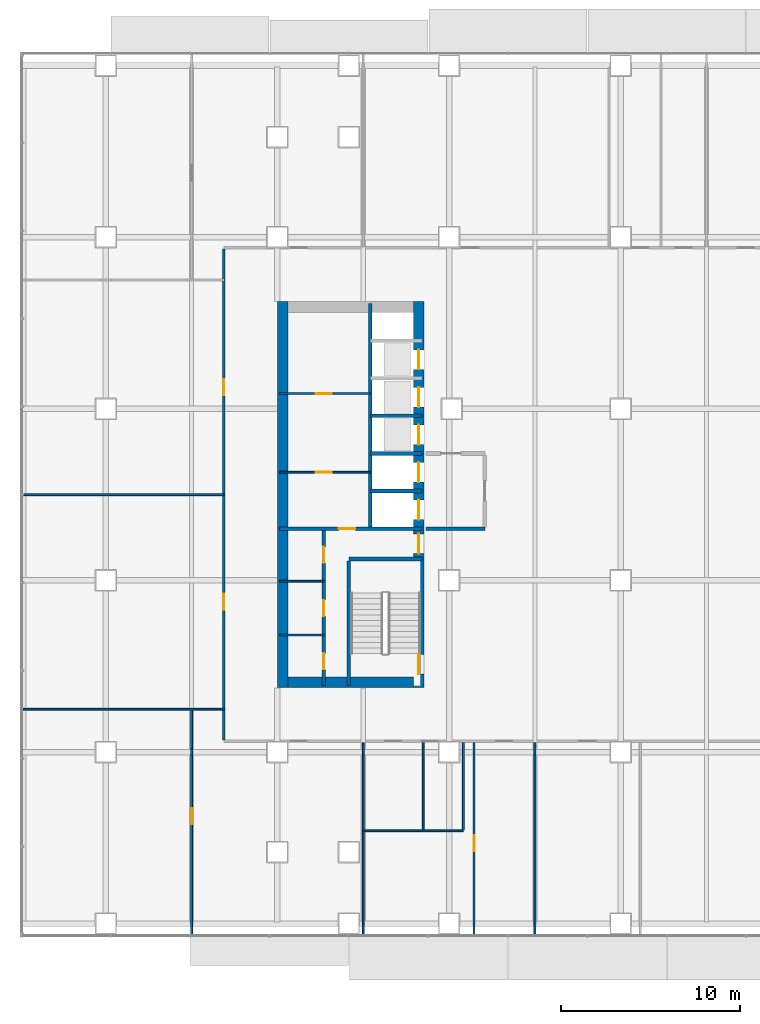
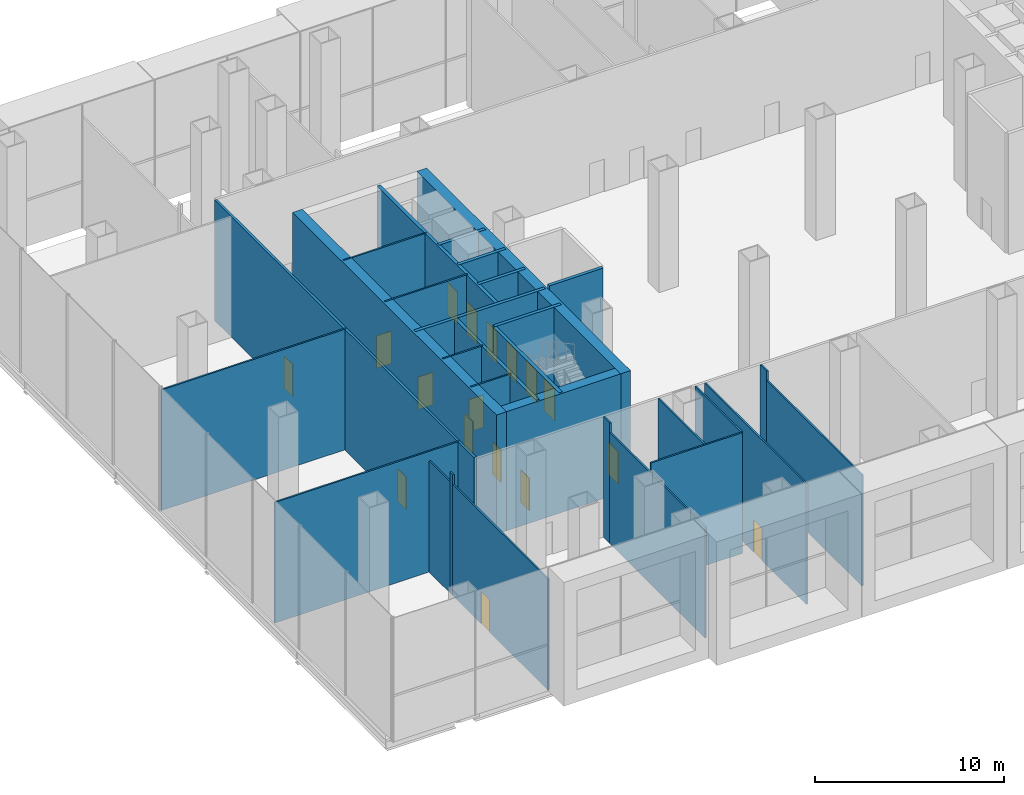
# One storey, part 15 of 24: 30 walls, 17 doors, 17 openings.
"""IFC4 building model written with IfcOpenShell, lengths in metres."""

from ifc_helpers import new_model, si_unit, direction, frame, frame_2d, origin, place, context, subcontext, project, spatial, rectangle, extrude, material, layer, layer_set, type_object, element, fill, save


model = new_model("IFC4")

# Units and contexts
model_context = context("Model", 3, precision=1e-05, world=origin(), true_north=direction((0.0, 1.0)))
body_context = subcontext(model_context, "Body", "Model", "MODEL_VIEW")
ifc_project = project(units=[si_unit("LENGTHUNIT", "METRE"), si_unit("AREAUNIT", "SQUARE_METRE"), si_unit("VOLUMEUNIT", "CUBIC_METRE"), si_unit("PLANEANGLEUNIT", "RADIAN"), si_unit("MASSUNIT", "GRAM", prefix="KILO")], contexts=[model_context])

# Site, building, storey
site_placement = place(None, origin())
site = spatial("IfcSite", under=ifc_project, at=site_placement, CompositionType="ELEMENT")
building_placement = place(site_placement, origin())
building = spatial("IfcBuilding", under=site, at=building_placement, Name="Cobrizo Arcos Hotel Tower", CompositionType="ELEMENT")
storey_placement = place(building_placement, frame((0.0, 0.0, 7.5)))
storey = spatial("IfcBuildingStorey", under=building, at=storey_placement, Name="L01", CompositionType="ELEMENT", Elevation=7.5)

# Wall, openings, doors
ifc_material_1 = material(Name="Gypsum board partition")
ifc_layer_1 = layer(ifc_material_1, 0.14990234375)
ifc_layer_set_1 = layer_set([ifc_layer_1], Name="Corridor wall EI 60 150")
wall_type_1 = type_object("IfcWallType", Name="Corridor wall EI 60 150", PredefinedType="PARTITIONING", material=ifc_layer_set_1)
wall_1_placement = place(storey_placement, frame((-27.0, -13.72509765625, 0.0), z_axis=(0.0, 0.0, 1.0), x_axis=(0.0, 1.0, 0.0)))
wall_1 = element("IfcWall", 1, at=wall_1_placement, inside=storey, type_object=wall_type_1, Name="Partition 042", PredefinedType="PARTITIONING", context=body_context, shape_type="SweptSolid", body=[
    extrude(rectangle(XDim=27.4501953125, YDim=0.14990234375, at=frame_2d((13.72509765625, 0.0))), origin(), (0.0, 0.0, 1.0), 7.800048828125),
])
opening_1_placement = place(wall_1_placement, frame((7.27490234375, 0.0, 0.0)))
opening_1 = element("IfcOpeningElement", 2, at=opening_1_placement, cuts=wall_1, Name="Opening RD-19", PredefinedType="OPENING", context=body_context, shape_type="SweptSolid", body=[
    extrude(rectangle(XDim=0.89990234375, YDim=2.10009765625, at=frame_2d((0.449951171875, 1.050048828125))), frame((0.0, 0.0869140625, 0.0), z_axis=(0.0, -1.0, 0.0), x_axis=(1.0, 0.0, 0.0)), (0.0, 0.0, 1.0), 0.173828125),
])
opening_2_placement = place(wall_1_placement, frame((19.27490234375, 0.0, 0.0)))
opening_2 = element("IfcOpeningElement", 3, at=opening_2_placement, cuts=wall_1, Name="Opening RD-20", PredefinedType="OPENING", context=body_context, shape_type="SweptSolid", body=[
    extrude(rectangle(XDim=0.89990234375, YDim=2.10009765625, at=frame_2d((0.449951171875, 1.050048828125))), frame((0.0, 0.0869140625, 0.0), z_axis=(0.0, -1.0, 0.0), x_axis=(1.0, 0.0, 0.0)), (0.0, 0.0, 1.0), 0.173828125),
])
ifc_material_2 = material(Name="Timber door leaf", Category="wood")
door_type_1 = type_object("IfcDoorType", Name="Room door FD30 900x2100", OperationType="SINGLE_SWING_LEFT", PredefinedType="DOOR", material=ifc_material_2)
door_1_placement = place(opening_1_placement, origin())
door_1 = element("IfcDoor", 4, at=door_1_placement, inside=storey, type_object=door_type_1, Name="Door RD-19", OperationType="SINGLE_SWING_LEFT", OverallHeight=2.10009765625, OverallWidth=0.89990234375, PredefinedType="DOOR", context=body_context, shape_type="SweptSolid", body=[
    extrude(rectangle(XDim=0.89990234375, YDim=2.10009765625, at=frame_2d((0.449951171875, 1.050048828125))), frame((0.0, 0.02490234375, 0.0), z_axis=(0.0, -1.0, 0.0), x_axis=(1.0, 0.0, 0.0)), (0.0, 0.0, 1.0), 0.050048828125),
])
fill(opening_1, door_1)
door_2_placement = place(opening_2_placement, origin())
door_2 = element("IfcDoor", 5, at=door_2_placement, inside=storey, type_object=door_type_1, Name="Door RD-20", OperationType="SINGLE_SWING_RIGHT", OverallHeight=2.10009765625, OverallWidth=0.89990234375, PredefinedType="DOOR", context=body_context, shape_type="SweptSolid", body=[
    extrude(rectangle(XDim=0.89990234375, YDim=2.10009765625, at=frame_2d((0.449951171875, 1.050048828125))), frame((0.0, 0.02490234375, 0.0), z_axis=(0.0, -1.0, 0.0), x_axis=(1.0, 0.0, 0.0)), (0.0, 0.0, 1.0), 0.050048828125),
])
fill(opening_2, door_2)

# Walls
ifc_layer_2 = layer(ifc_material_1, 0.10009765625)
ifc_layer_set_2 = layer_set([ifc_layer_2], Name="Partition EI 30 100")
wall_type_2 = type_object("IfcWallType", Name="Partition EI 30 100", PredefinedType="PARTITIONING", material=ifc_layer_set_2)
wall_2_placement = place(storey_placement, frame((-19.199951171875, -18.800048828125, 0.0), z_axis=(0.0, 0.0, 1.0), x_axis=(1.0, 0.0, 0.0)))
element("IfcWall", 6, at=wall_2_placement, inside=storey, type_object=wall_type_2, Name="Partition 001", PredefinedType="PARTITIONING", context=body_context, shape_type="SweptSolid", body=[
    extrude(rectangle(XDim=5.599853515625, YDim=0.10009765625, at=frame_2d((2.7998046875, 0.0))), origin(), (0.0, 0.0, 1.0), 7.800048828125),
])
wall_3_placement = place(storey_placement, frame((-38.280029296875, -12.0, 0.0), z_axis=(0.0, 0.0, 1.0), x_axis=(1.0, 0.0, 0.0)))
element("IfcWall", 7, at=wall_3_placement, inside=storey, type_object=wall_type_2, Name="Partition 003", PredefinedType="PARTITIONING", context=body_context, shape_type="SweptSolid", body=[
    extrude(rectangle(XDim=11.280029296875, YDim=0.10009765625, at=frame_2d((5.64013671875, 0.0))), origin(), (0.0, 0.0, 1.0), 7.800048828125),
])
for number, where, z_axis, x_axis, name in (
    (8, (-23.8798828125, -7.85009765625, 0.0), (0.0, 0.0, 1.0), (1.0, 0.0, 0.0), "Partition 005"),
    (9, (-23.8798828125, -4.85009765625, 0.0), (0.0, 0.0, 1.0), (1.0, 0.0, 0.0), "Partition 007"),
):
    element("IfcWall", number, at=place(storey_placement, frame(where, z_axis=z_axis, x_axis=x_axis)), inside=storey, type_object=wall_type_2, Name=name, PredefinedType="PARTITIONING", context=body_context, shape_type="SweptSolid", body=[
        extrude(rectangle(XDim=2.47998046875, YDim=0.10009765625, at=frame_2d((1.239990234375, 0.0))), origin(), (0.0, 0.0, 1.0), 7.699951171875),
    ])
wall_4_placement = place(storey_placement, frame((-38.280029296875, 0.0, 0.0), z_axis=(0.0, 0.0, 1.0), x_axis=(1.0, 0.0, 0.0)))
element("IfcWall", 10, at=wall_4_placement, inside=storey, type_object=wall_type_2, Name="Partition 015", PredefinedType="PARTITIONING", context=body_context, shape_type="SweptSolid", body=[
    extrude(rectangle(XDim=11.280029296875, YDim=0.10009765625, at=frame_2d((5.64013671875, 0.0))), origin(), (0.0, 0.0, 1.0), 7.800048828125),
])

# Wall, opening, door
wall_5_placement = place(storey_placement, frame((-23.8798828125, 1.25, 0.0), z_axis=(0.0, 0.0, 1.0), x_axis=(1.0, 0.0, 0.0)))
wall_5 = element("IfcWall", 11, at=wall_5_placement, inside=storey, type_object=wall_type_2, Name="Partition 019", PredefinedType="PARTITIONING", context=body_context, shape_type="SweptSolid", body=[
    extrude(rectangle(XDim=5.079833984375, YDim=0.10009765625, at=frame_2d((2.5400390625, 0.0))), origin(), (0.0, 0.0, 1.0), 7.699951171875),
])
opening_3_placement = place(wall_5_placement, frame((2.030029296875, 0.0, 0.0)))
opening_3 = element("IfcOpeningElement", 12, at=opening_3_placement, cuts=wall_5, Name="Opening RD-04", PredefinedType="OPENING", context=body_context, shape_type="SweptSolid", body=[
    extrude(rectangle(XDim=0.89990234375, YDim=2.10009765625, at=frame_2d((0.449951171875, 1.050048828125))), frame((0.0, 0.06201171875, 0.0), z_axis=(0.0, -1.0, 0.0), x_axis=(1.0, 0.0, 0.0)), (0.0, 0.0, 1.0), 0.1240234375),
])
door_3_placement = place(opening_3_placement, origin())
door_3 = element("IfcDoor", 13, at=door_3_placement, inside=storey, type_object=door_type_1, Name="Door RD-04", OperationType="SINGLE_SWING_RIGHT", OverallHeight=2.10009765625, OverallWidth=0.89990234375, PredefinedType="DOOR", context=body_context, shape_type="SweptSolid", body=[
    extrude(rectangle(XDim=0.89990234375, YDim=2.10009765625, at=frame_2d((0.449951171875, 1.050048828125))), frame((0.0, 0.02490234375, 0.0), z_axis=(0.0, -1.0, 0.0), x_axis=(1.0, 0.0, 0.0)), (0.0, 0.0, 1.0), 0.050048828125),
])
fill(opening_3, door_3)

wall_6_placement = place(storey_placement, frame((-23.8798828125, 5.64990234375, 0.0), z_axis=(0.0, 0.0, 1.0), x_axis=(1.0, 0.0, 0.0)))
wall_6 = element("IfcWall", 14, at=wall_6_placement, inside=storey, type_object=wall_type_2, Name="Partition 027", PredefinedType="PARTITIONING", context=body_context, shape_type="SweptSolid", body=[
    extrude(rectangle(XDim=5.079833984375, YDim=0.10009765625, at=frame_2d((2.5400390625, 0.0))), origin(), (0.0, 0.0, 1.0), 7.699951171875),
])
opening_4_placement = place(wall_6_placement, frame((2.030029296875, 0.0, 0.0)))
opening_4 = element("IfcOpeningElement", 15, at=opening_4_placement, cuts=wall_6, Name="Opening RD-05", PredefinedType="OPENING", context=body_context, shape_type="SweptSolid", body=[
    extrude(rectangle(XDim=0.89990234375, YDim=2.10009765625, at=frame_2d((0.449951171875, 1.050048828125))), frame((0.0, 0.06201171875, 0.0), z_axis=(0.0, -1.0, 0.0), x_axis=(1.0, 0.0, 0.0)), (0.0, 0.0, 1.0), 0.1240234375),
])
door_4_placement = place(opening_4_placement, origin())
door_4 = element("IfcDoor", 16, at=door_4_placement, inside=storey, type_object=door_type_1, Name="Door RD-05", OperationType="SINGLE_SWING_LEFT", OverallHeight=2.10009765625, OverallWidth=0.89990234375, PredefinedType="DOOR", context=body_context, shape_type="SweptSolid", body=[
    extrude(rectangle(XDim=0.89990234375, YDim=2.10009765625, at=frame_2d((0.449951171875, 1.050048828125))), frame((0.0, 0.02490234375, 0.0), z_axis=(0.0, -1.0, 0.0), x_axis=(1.0, 0.0, 0.0)), (0.0, 0.0, 1.0), 0.050048828125),
])
fill(opening_4, door_4)

wall_7_placement = place(storey_placement, frame((-28.800048828125, -24.6298828125, 0.0), z_axis=(0.0, 0.0, 1.0), x_axis=(0.0, 1.0, 0.0)))
wall_7 = element("IfcWall", 17, at=wall_7_placement, inside=storey, type_object=wall_type_2, Name="Partition 036", PredefinedType="PARTITIONING", context=body_context, shape_type="SweptSolid", body=[
    extrude(rectangle(XDim=10.076171875, YDim=0.10009765625, at=frame_2d((5.0380859375, 0.0))), origin(), (0.0, 0.0, 1.0), 7.18310546875),
])
opening_5_placement = place(wall_7_placement, frame((6.179931640625, 0.0, 0.0)))
opening_5 = element("IfcOpeningElement", 18, at=opening_5_placement, cuts=wall_7, Name="Opening RD-30", PredefinedType="OPENING", context=body_context, shape_type="SweptSolid", body=[
    extrude(rectangle(XDim=0.89990234375, YDim=2.10009765625, at=frame_2d((0.449951171875, 1.050048828125))), frame((0.0, 0.06201171875, 0.0), z_axis=(0.0, -1.0, 0.0), x_axis=(1.0, 0.0, 0.0)), (0.0, 0.0, 1.0), 0.1240234375),
])
door_5_placement = place(opening_5_placement, origin())
door_5 = element("IfcDoor", 19, at=door_5_placement, inside=storey, type_object=door_type_1, Name="Door RD-30", OperationType="SINGLE_SWING_LEFT", OverallHeight=2.10009765625, OverallWidth=0.89990234375, PredefinedType="DOOR", context=body_context, shape_type="SweptSolid", body=[
    extrude(rectangle(XDim=0.89990234375, YDim=2.10009765625, at=frame_2d((0.449951171875, 1.050048828125))), frame((0.0, 0.02490234375, 0.0), z_axis=(0.0, -1.0, 0.0), x_axis=(1.0, 0.0, 0.0)), (0.0, 0.0, 1.0), 0.050048828125),
])
fill(opening_5, door_5)

# Walls
wall_8_placement = place(storey_placement, frame((-28.800048828125, -14.553955078125, 0.0), z_axis=(0.0, 0.0, 1.0), x_axis=(0.0, 1.0, 0.0)))
element("IfcWall", 20, at=wall_8_placement, inside=storey, type_object=wall_type_2, Name="Partition 037", PredefinedType="PARTITIONING", context=body_context, shape_type="SweptSolid", body=[
    extrude(rectangle(XDim=0.307861328125, YDim=0.10009765625, at=frame_2d((0.15380859375, 0.0))), origin(), (0.0, 0.0, 1.0), 7.800048828125),
])
wall_9_placement = place(storey_placement, frame((-28.800048828125, -14.24609375, 0.0), z_axis=(0.0, 0.0, 1.0), x_axis=(0.0, 1.0, 0.0)))
element("IfcWall", 21, at=wall_9_placement, inside=storey, type_object=wall_type_2, Name="Partition 038", PredefinedType="PARTITIONING", context=body_context, shape_type="SweptSolid", body=[
    extrude(rectangle(XDim=2.196044921875, YDim=0.10009765625, at=frame_2d((1.09814453125, 0.0))), origin(), (0.0, 0.0, 1.0), 7.18310546875),
])
wall_10_placement = place(storey_placement, frame((-19.199951171875, -24.6298828125, 0.0), z_axis=(0.0, 0.0, 1.0), x_axis=(0.0, 1.0, 0.0)))
element("IfcWall", 22, at=wall_10_placement, inside=storey, type_object=wall_type_2, Name="Partition 045", PredefinedType="PARTITIONING", context=body_context, shape_type="SweptSolid", body=[
    extrude(rectangle(XDim=10.076171875, YDim=0.10009765625, at=frame_2d((5.0380859375, 0.0))), origin(), (0.0, 0.0, 1.0), 7.18310546875),
])
wall_11_placement = place(storey_placement, frame((-19.199951171875, -14.553955078125, 0.0), z_axis=(0.0, 0.0, 1.0), x_axis=(0.0, 1.0, 0.0)))
element("IfcWall", 23, at=wall_11_placement, inside=storey, type_object=wall_type_2, Name="Partition 046", PredefinedType="PARTITIONING", context=body_context, shape_type="SweptSolid", body=[
    extrude(rectangle(XDim=0.678955078125, YDim=0.10009765625, at=frame_2d((0.33935546875, 0.0))), origin(), (0.0, 0.0, 1.0), 7.800048828125),
])
for number, where, z_axis, x_axis, name in (
    (24, (-15.85009765625, -18.75, 0.0), (0.0, 0.0, 1.0), (0.0, 1.0, 0.0), "Partition 050"),
    (25, (-13.60009765625, -18.75, 0.0), (0.0, 0.0, 1.0), (0.0, 1.0, 0.0), "Partition 051"),
):
    element("IfcWall", number, at=place(storey_placement, frame(where, z_axis=z_axis, x_axis=x_axis)), inside=storey, type_object=wall_type_2, Name=name, PredefinedType="PARTITIONING", context=body_context, shape_type="SweptSolid", body=[
        extrude(rectangle(XDim=4.875, YDim=0.10009765625, at=frame_2d((2.4375, 0.0))), origin(), (0.0, 0.0, 1.0), 7.800048828125),
    ])

# Wall, opening, door
wall_12_placement = place(storey_placement, frame((-13.0, -24.6298828125, 0.0), z_axis=(0.0, 0.0, 1.0), x_axis=(0.0, 1.0, 0.0)))
wall_12 = element("IfcWall", 26, at=wall_12_placement, inside=storey, type_object=wall_type_2, Name="Partition 052", PredefinedType="PARTITIONING", context=body_context, shape_type="SweptSolid", body=[
    extrude(rectangle(XDim=10.7548828125, YDim=0.10009765625, at=frame_2d((5.37744140625, 0.0))), origin(), (0.0, 0.0, 1.0), 7.800048828125),
])
opening_6_placement = place(wall_12_placement, frame((4.679931640625, 0.0, 0.0)))
opening_6 = element("IfcOpeningElement", 27, at=opening_6_placement, cuts=wall_12, Name="Opening RD-29", PredefinedType="OPENING", context=body_context, shape_type="SweptSolid", body=[
    extrude(rectangle(XDim=0.89990234375, YDim=2.10009765625, at=frame_2d((0.449951171875, 1.050048828125))), frame((0.0, 0.06201171875, 0.0), z_axis=(0.0, -1.0, 0.0), x_axis=(1.0, 0.0, 0.0)), (0.0, 0.0, 1.0), 0.1240234375),
])
door_6_placement = place(opening_6_placement, origin())
door_6 = element("IfcDoor", 28, at=door_6_placement, inside=storey, type_object=door_type_1, Name="Door RD-29", OperationType="SINGLE_SWING_RIGHT", OverallHeight=2.10009765625, OverallWidth=0.89990234375, PredefinedType="DOOR", context=body_context, shape_type="SweptSolid", body=[
    extrude(rectangle(XDim=0.89990234375, YDim=2.10009765625, at=frame_2d((0.449951171875, 1.050048828125))), frame((0.0, 0.02490234375, 0.0), z_axis=(0.0, -1.0, 0.0), x_axis=(1.0, 0.0, 0.0)), (0.0, 0.0, 1.0), 0.050048828125),
])
fill(opening_6, door_6)

# Walls
wall_13_placement = place(storey_placement, frame((-9.60009765625, -24.6298828125, 0.0), z_axis=(0.0, 0.0, 1.0), x_axis=(0.0, 1.0, 0.0)))
element("IfcWall", 29, at=wall_13_placement, inside=storey, type_object=wall_type_2, Name="Partition 054", PredefinedType="PARTITIONING", context=body_context, shape_type="SweptSolid", body=[
    extrude(rectangle(XDim=10.076171875, YDim=0.10009765625, at=frame_2d((5.0380859375, 0.0))), origin(), (0.0, 0.0, 1.0), 7.18310546875),
])
wall_14_placement = place(storey_placement, frame((-9.60009765625, -14.553955078125, 0.0), z_axis=(0.0, 0.0, 1.0), x_axis=(0.0, 1.0, 0.0)))
element("IfcWall", 30, at=wall_14_placement, inside=storey, type_object=wall_type_2, Name="Partition 055", PredefinedType="PARTITIONING", context=body_context, shape_type="SweptSolid", body=[
    extrude(rectangle(XDim=0.678955078125, YDim=0.10009765625, at=frame_2d((0.33935546875, 0.0))), origin(), (0.0, 0.0, 1.0), 7.800048828125),
])

# Wall, openings, doors
ifc_material_3 = material(Name="Concrete f'c 60 MPa", Category="concrete")
ifc_layer_3 = layer(ifc_material_3, 0.60009765625)
ifc_layer_set_3 = layer_set([ifc_layer_3], Name="RC core wall 600 f'c 60")
wall_type_3 = type_object("IfcWallType", Name="RC core wall 600 f'c 60", PredefinedType="SHEAR", material=ifc_layer_set_3)
wall_15_placement = place(storey_placement, frame((-16.10009765625, -10.800048828125, 0.0), z_axis=(0.0, 0.0, 1.0), x_axis=(0.0, 1.0, 0.0)))
wall_15 = element("IfcWall", 31, at=wall_15_placement, inside=storey, type_object=wall_type_3, Name="Core wall CW1, west core, inner face, L01", PredefinedType="SHEAR", context=body_context, shape_type="SweptSolid", body=[
    extrude(rectangle(XDim=21.60009765625, YDim=0.60009765625, at=frame_2d((10.800048828125, 0.0))), origin(), (0.0, 0.0, 1.0), 7.699951171875),
])
opening_7_placement = place(wall_15_placement, frame((9.39990234375, 0.0, 0.0)))
opening_7 = element("IfcOpeningElement", 32, at=opening_7_placement, cuts=wall_15, Name="Opening LD-01", PredefinedType="OPENING", context=body_context, shape_type="SweptSolid", body=[
    extrude(rectangle(XDim=1.10009765625, YDim=2.10009765625, at=frame_2d((0.550048828125, 1.050048828125))), frame((0.0, 0.31201171875, 0.0), z_axis=(0.0, -1.0, 0.0), x_axis=(1.0, 0.0, 0.0)), (0.0, 0.0, 1.0), 0.6240234375),
])
opening_8_placement = place(wall_15_placement, frame((11.5, 0.0, 0.0)))
opening_8 = element("IfcOpeningElement", 33, at=opening_8_placement, cuts=wall_15, Name="Opening LD-02", PredefinedType="OPENING", context=body_context, shape_type="SweptSolid", body=[
    extrude(rectangle(XDim=1.10009765625, YDim=2.10009765625, at=frame_2d((0.550048828125, 1.050048828125))), frame((0.0, 0.31201171875, 0.0), z_axis=(0.0, -1.0, 0.0), x_axis=(1.0, 0.0, 0.0)), (0.0, 0.0, 1.0), 0.6240234375),
])
opening_9_placement = place(wall_15_placement, frame((13.60009765625, 0.0, 0.0)))
opening_9 = element("IfcOpeningElement", 34, at=opening_9_placement, cuts=wall_15, Name="Opening LD-03", PredefinedType="OPENING", context=body_context, shape_type="SweptSolid", body=[
    extrude(rectangle(XDim=1.10009765625, YDim=2.10009765625, at=frame_2d((0.550048828125, 1.050048828125))), frame((0.0, 0.31201171875, 0.0), z_axis=(0.0, -1.0, 0.0), x_axis=(1.0, 0.0, 0.0)), (0.0, 0.0, 1.0), 0.6240234375),
])
opening_10_placement = place(wall_15_placement, frame((15.699951171875, 0.0, 0.0)))
opening_10 = element("IfcOpeningElement", 35, at=opening_10_placement, cuts=wall_15, Name="Opening LD-04", PredefinedType="OPENING", context=body_context, shape_type="SweptSolid", body=[
    extrude(rectangle(XDim=1.10009765625, YDim=2.10009765625, at=frame_2d((0.550048828125, 1.050048828125))), frame((0.0, 0.31201171875, 0.0), z_axis=(0.0, -1.0, 0.0), x_axis=(1.0, 0.0, 0.0)), (0.0, 0.0, 1.0), 0.6240234375),
])
opening_11_placement = place(wall_15_placement, frame((17.800048828125, 0.0, 0.0)))
opening_11 = element("IfcOpeningElement", 36, at=opening_11_placement, cuts=wall_15, Name="Opening LD-05", PredefinedType="OPENING", context=body_context, shape_type="SweptSolid", body=[
    extrude(rectangle(XDim=1.10009765625, YDim=2.10009765625, at=frame_2d((0.550048828125, 1.050048828125))), frame((0.0, 0.31201171875, 0.0), z_axis=(0.0, -1.0, 0.0), x_axis=(1.0, 0.0, 0.0)), (0.0, 0.0, 1.0), 0.6240234375),
])
opening_12_placement = place(wall_15_placement, frame((0.758056640625, 0.0, 0.0)))
opening_12 = element("IfcOpeningElement", 37, at=opening_12_placement, cuts=wall_15, Name="Opening SD-01", PredefinedType="OPENING", context=body_context, shape_type="SweptSolid", body=[
    extrude(rectangle(XDim=1.10009765625, YDim=2.10009765625, at=frame_2d((0.550048828125, 1.050048828125))), frame((0.0, 0.31201171875, 0.0), z_axis=(0.0, -1.0, 0.0), x_axis=(1.0, 0.0, 0.0)), (0.0, 0.0, 1.0), 0.6240234375),
])
opening_13_placement = place(wall_15_placement, frame((7.5, 0.0, 0.0)))
opening_13 = element("IfcOpeningElement", 38, at=opening_13_placement, cuts=wall_15, Name="Opening FD-01", PredefinedType="OPENING", context=body_context, shape_type="SweptSolid", body=[
    extrude(rectangle(XDim=1.10009765625, YDim=2.10009765625, at=frame_2d((0.550048828125, 1.050048828125))), frame((0.0, 0.31201171875, 0.0), z_axis=(0.0, -1.0, 0.0), x_axis=(1.0, 0.0, 0.0)), (0.0, 0.0, 1.0), 0.6240234375),
])
ifc_material_4 = material(Name="Steel door leaf", Category="steel")
door_type_2 = type_object("IfcDoorType", Name="Fire door FD60 1100x2100", OperationType="SINGLE_SWING_LEFT", PredefinedType="DOOR", material=ifc_material_4)
door_7_placement = place(opening_13_placement, origin())
door_7 = element("IfcDoor", 39, at=door_7_placement, inside=storey, type_object=door_type_2, Name="Door FD-01", OperationType="SINGLE_SWING_RIGHT", OverallHeight=2.10009765625, OverallWidth=1.10009765625, PredefinedType="DOOR", context=body_context, shape_type="SweptSolid", body=[
    extrude(rectangle(XDim=1.10009765625, YDim=2.10009765625, at=frame_2d((0.550048828125, 1.050048828125))), frame((0.0, 0.02490234375, 0.0), z_axis=(0.0, -1.0, 0.0), x_axis=(1.0, 0.0, 0.0)), (0.0, 0.0, 1.0), 0.050048828125),
])
fill(opening_13, door_7)
door_type_3 = type_object("IfcDoorType", Name="Lift landing door 1100x2100", OperationType="SLIDING_TO_LEFT", PredefinedType="DOOR", material=ifc_material_4)
door_8_placement = place(opening_7_placement, origin())
door_8 = element("IfcDoor", 40, at=door_8_placement, inside=storey, type_object=door_type_3, Name="Lift landing door LD-01", OperationType="SLIDING_TO_LEFT", OverallHeight=2.10009765625, OverallWidth=1.10009765625, PredefinedType="DOOR", context=body_context, shape_type="SweptSolid", body=[
    extrude(rectangle(XDim=1.10009765625, YDim=2.10009765625, at=frame_2d((0.550048828125, 1.050048828125))), frame((0.0, 0.02490234375, 0.0), z_axis=(0.0, -1.0, 0.0), x_axis=(1.0, 0.0, 0.0)), (0.0, 0.0, 1.0), 0.050048828125),
])
fill(opening_7, door_8)
door_9_placement = place(opening_8_placement, origin())
door_9 = element("IfcDoor", 41, at=door_9_placement, inside=storey, type_object=door_type_3, Name="Lift landing door LD-02", OperationType="SLIDING_TO_LEFT", OverallHeight=2.10009765625, OverallWidth=1.10009765625, PredefinedType="DOOR", context=body_context, shape_type="SweptSolid", body=[
    extrude(rectangle(XDim=1.10009765625, YDim=2.10009765625, at=frame_2d((0.550048828125, 1.050048828125))), frame((0.0, 0.02490234375, 0.0), z_axis=(0.0, -1.0, 0.0), x_axis=(1.0, 0.0, 0.0)), (0.0, 0.0, 1.0), 0.050048828125),
])
fill(opening_8, door_9)
door_10_placement = place(opening_9_placement, origin())
door_10 = element("IfcDoor", 42, at=door_10_placement, inside=storey, type_object=door_type_3, Name="Lift landing door LD-03", OperationType="SLIDING_TO_LEFT", OverallHeight=2.10009765625, OverallWidth=1.10009765625, PredefinedType="DOOR", context=body_context, shape_type="SweptSolid", body=[
    extrude(rectangle(XDim=1.10009765625, YDim=2.10009765625, at=frame_2d((0.550048828125, 1.050048828125))), frame((0.0, 0.02490234375, 0.0), z_axis=(0.0, -1.0, 0.0), x_axis=(1.0, 0.0, 0.0)), (0.0, 0.0, 1.0), 0.050048828125),
])
fill(opening_9, door_10)
door_11_placement = place(opening_10_placement, origin())
door_11 = element("IfcDoor", 43, at=door_11_placement, inside=storey, type_object=door_type_3, Name="Lift landing door LD-04", OperationType="SLIDING_TO_LEFT", OverallHeight=2.10009765625, OverallWidth=1.10009765625, PredefinedType="DOOR", context=body_context, shape_type="SweptSolid", body=[
    extrude(rectangle(XDim=1.10009765625, YDim=2.10009765625, at=frame_2d((0.550048828125, 1.050048828125))), frame((0.0, 0.02490234375, 0.0), z_axis=(0.0, -1.0, 0.0), x_axis=(1.0, 0.0, 0.0)), (0.0, 0.0, 1.0), 0.050048828125),
])
fill(opening_10, door_11)
door_12_placement = place(opening_11_placement, origin())
door_12 = element("IfcDoor", 44, at=door_12_placement, inside=storey, type_object=door_type_3, Name="Lift landing door LD-05", OperationType="SLIDING_TO_LEFT", OverallHeight=2.10009765625, OverallWidth=1.10009765625, PredefinedType="DOOR", context=body_context, shape_type="SweptSolid", body=[
    extrude(rectangle(XDim=1.10009765625, YDim=2.10009765625, at=frame_2d((0.550048828125, 1.050048828125))), frame((0.0, 0.02490234375, 0.0), z_axis=(0.0, -1.0, 0.0), x_axis=(1.0, 0.0, 0.0)), (0.0, 0.0, 1.0), 0.050048828125),
])
fill(opening_11, door_12)
door_type_4 = type_object("IfcDoorType", Name="Stair door FD60S 1100x2100", OperationType="SINGLE_SWING_LEFT", PredefinedType="DOOR", material=ifc_material_4)
door_13_placement = place(opening_12_placement, origin())
door_13 = element("IfcDoor", 45, at=door_13_placement, inside=storey, type_object=door_type_4, Name="Door SD-01", OperationType="SINGLE_SWING_RIGHT", OverallHeight=2.10009765625, OverallWidth=1.10009765625, PredefinedType="DOOR", context=body_context, shape_type="SweptSolid", body=[
    extrude(rectangle(XDim=1.10009765625, YDim=2.10009765625, at=frame_2d((0.550048828125, 1.050048828125))), frame((0.0, 0.02490234375, 0.0), z_axis=(0.0, -1.0, 0.0), x_axis=(1.0, 0.0, 0.0)), (0.0, 0.0, 1.0), 0.050048828125),
])
fill(opening_12, door_13)

# Walls
wall_16_placement = place(storey_placement, frame((-23.699951171875, -10.800048828125, 0.0), z_axis=(0.0, 0.0, 1.0), x_axis=(0.0, 1.0, 0.0)))
element("IfcWall", 46, at=wall_16_placement, inside=storey, type_object=wall_type_3, Name="Core wall CW1, west core, outer face, L01", PredefinedType="SHEAR", context=body_context, shape_type="SweptSolid", body=[
    extrude(rectangle(XDim=21.60009765625, YDim=0.60009765625, at=frame_2d((10.800048828125, 0.0))), origin(), (0.0, 0.0, 1.0), 7.699951171875),
])
wall_17_placement = place(storey_placement, frame((-23.39990234375, -10.5, 0.0), z_axis=(0.0, 0.0, 1.0), x_axis=(1.0, 0.0, 0.0)))
element("IfcWall", 47, at=wall_17_placement, inside=storey, type_object=wall_type_3, Name="Core wall CW1, west core, south end, L01", PredefinedType="SHEAR", context=body_context, shape_type="SweptSolid", body=[
    extrude(rectangle(XDim=7.0, YDim=0.60009765625, at=frame_2d((3.5, 0.0))), origin(), (0.0, 0.0, 1.0), 7.699951171875),
])

# Wall, opening, door
ifc_layer_4 = layer(ifc_material_1, 0.199951171875)
ifc_layer_set_4 = layer_set([ifc_layer_4], Name="Shaft wall EI 120 200")
wall_type_4 = type_object("IfcWallType", Name="Shaft wall EI 120 200", PredefinedType="PARTITIONING", material=ifc_layer_set_4)
wall_18_placement = place(storey_placement, frame((-23.8798828125, -1.89990234375, 0.0), z_axis=(0.0, 0.0, 1.0), x_axis=(1.0, 0.0, 0.0)))
wall_18 = element("IfcWall", 48, at=wall_18_placement, inside=storey, type_object=wall_type_4, Name="Partition 011", PredefinedType="PARTITIONING", context=body_context, shape_type="SweptSolid", body=[
    extrude(rectangle(XDim=7.9599609375, YDim=0.199951171875, at=frame_2d((3.97998046875, 0.0))), origin(), (0.0, 0.0, 1.0), 7.699951171875),
])
opening_14_placement = place(wall_18_placement, frame((3.320068359375, 0.0, 0.0)))
opening_14 = element("IfcOpeningElement", 49, at=opening_14_placement, cuts=wall_18, Name="Opening RD-03", PredefinedType="OPENING", context=body_context, shape_type="SweptSolid", body=[
    extrude(rectangle(XDim=0.89990234375, YDim=2.10009765625, at=frame_2d((0.449951171875, 1.050048828125))), frame((0.0, 0.112060546875, 0.0), z_axis=(0.0, -1.0, 0.0), x_axis=(1.0, 0.0, 0.0)), (0.0, 0.0, 1.0), 0.223876953125),
])
door_14_placement = place(opening_14_placement, origin())
door_14 = element("IfcDoor", 50, at=door_14_placement, inside=storey, type_object=door_type_1, Name="Door RD-03", OperationType="SINGLE_SWING_RIGHT", OverallHeight=2.10009765625, OverallWidth=0.89990234375, PredefinedType="DOOR", context=body_context, shape_type="SweptSolid", body=[
    extrude(rectangle(XDim=0.89990234375, YDim=2.10009765625, at=frame_2d((0.449951171875, 1.050048828125))), frame((0.0, 0.02490234375, 0.0), z_axis=(0.0, -1.0, 0.0), x_axis=(1.0, 0.0, 0.0)), (0.0, 0.0, 1.0), 0.050048828125),
])
fill(opening_14, door_14)

# Walls
wall_19_placement = place(storey_placement, frame((-15.679931640625, -1.89990234375, 0.0), z_axis=(0.0, 0.0, 1.0), x_axis=(1.0, 0.0, 0.0)))
element("IfcWall", 51, at=wall_19_placement, inside=storey, type_object=wall_type_4, Name="Partition 012", PredefinedType="PARTITIONING", context=body_context, shape_type="SweptSolid", body=[
    extrude(rectangle(XDim=3.280029296875, YDim=0.199951171875, at=frame_2d((1.64013671875, 0.0))), origin(), (0.0, 0.0, 1.0), 7.800048828125),
])
for number, where, z_axis, x_axis, name in (
    (52, (-18.800048828125, 0.199951171875, 0.0), (0.0, 0.0, 1.0), (1.0, 0.0, 0.0), "Partition 017"),
    (53, (-18.800048828125, 2.300048828125, 0.0), (0.0, 0.0, 1.0), (1.0, 0.0, 0.0), "Partition 021"),
    (54, (-18.800048828125, 4.39990234375, 0.0), (0.0, 0.0, 1.0), (1.0, 0.0, 0.0), "Partition 025"),
):
    element("IfcWall", number, at=place(storey_placement, frame(where, z_axis=z_axis, x_axis=x_axis)), inside=storey, type_object=wall_type_4, Name=name, PredefinedType="PARTITIONING", context=body_context, shape_type="SweptSolid", body=[
        extrude(rectangle(XDim=2.880126953125, YDim=0.199951171875, at=frame_2d((1.43994140625, 0.0))), origin(), (0.0, 0.0, 1.0), 7.699951171875),
    ])

# Wall, openings, doors
wall_20_placement = place(storey_placement, frame((-21.39990234375, -10.679931640625, 0.0), z_axis=(0.0, 0.0, 1.0), x_axis=(0.0, 1.0, 0.0)))
wall_20 = element("IfcWall", 55, at=wall_20_placement, inside=storey, type_object=wall_type_4, Name="Partition 043", PredefinedType="PARTITIONING", context=body_context, shape_type="SweptSolid", body=[
    extrude(rectangle(XDim=8.679931640625, YDim=0.199951171875, at=frame_2d((4.33984375, 0.0))), origin(), (0.0, 0.0, 1.0), 7.699951171875),
])
opening_15_placement = place(wall_20_placement, frame((0.89892578125, 0.0, 0.0)))
opening_15 = element("IfcOpeningElement", 56, at=opening_15_placement, cuts=wall_20, Name="Opening RD-01", PredefinedType="OPENING", context=body_context, shape_type="SweptSolid", body=[
    extrude(rectangle(XDim=0.89990234375, YDim=2.10009765625, at=frame_2d((0.449951171875, 1.050048828125))), frame((0.0, 0.112060546875, 0.0), z_axis=(0.0, -1.0, 0.0), x_axis=(1.0, 0.0, 0.0)), (0.0, 0.0, 1.0), 0.223876953125),
])
opening_16_placement = place(wall_20_placement, frame((3.8798828125, 0.0, 0.0)))
opening_16 = element("IfcOpeningElement", 57, at=opening_16_placement, cuts=wall_20, Name="Opening RD-02", PredefinedType="OPENING", context=body_context, shape_type="SweptSolid", body=[
    extrude(rectangle(XDim=0.89990234375, YDim=2.10009765625, at=frame_2d((0.449951171875, 1.050048828125))), frame((0.0, 0.112060546875, 0.0), z_axis=(0.0, -1.0, 0.0), x_axis=(1.0, 0.0, 0.0)), (0.0, 0.0, 1.0), 0.223876953125),
])
opening_17_placement = place(wall_20_placement, frame((6.862060546875, 0.0, 0.0)))
opening_17 = element("IfcOpeningElement", 58, at=opening_17_placement, cuts=wall_20, Name="Opening ED-01", PredefinedType="OPENING", context=body_context, shape_type="SweptSolid", body=[
    extrude(rectangle(XDim=0.89990234375, YDim=2.10009765625, at=frame_2d((0.449951171875, 1.050048828125))), frame((0.0, 0.112060546875, 0.0), z_axis=(0.0, -1.0, 0.0), x_axis=(1.0, 0.0, 0.0)), (0.0, 0.0, 1.0), 0.223876953125),
])
door_type_5 = type_object("IfcDoorType", Name="En-suite door 900x2100", OperationType="SINGLE_SWING_LEFT", PredefinedType="DOOR", material=ifc_material_2)
door_15_placement = place(opening_17_placement, origin())
door_15 = element("IfcDoor", 59, at=door_15_placement, inside=storey, type_object=door_type_5, Name="Door ED-01", OperationType="SINGLE_SWING_LEFT", OverallHeight=2.10009765625, OverallWidth=0.89990234375, PredefinedType="DOOR", context=body_context, shape_type="SweptSolid", body=[
    extrude(rectangle(XDim=0.89990234375, YDim=2.10009765625, at=frame_2d((0.449951171875, 1.050048828125))), frame((0.0, 0.02490234375, 0.0), z_axis=(0.0, -1.0, 0.0), x_axis=(1.0, 0.0, 0.0)), (0.0, 0.0, 1.0), 0.050048828125),
])
fill(opening_17, door_15)
door_16_placement = place(opening_15_placement, origin())
door_16 = element("IfcDoor", 60, at=door_16_placement, inside=storey, type_object=door_type_1, Name="Door RD-01", OperationType="SINGLE_SWING_LEFT", OverallHeight=2.10009765625, OverallWidth=0.89990234375, PredefinedType="DOOR", context=body_context, shape_type="SweptSolid", body=[
    extrude(rectangle(XDim=0.89990234375, YDim=2.10009765625, at=frame_2d((0.449951171875, 1.050048828125))), frame((0.0, 0.02490234375, 0.0), z_axis=(0.0, -1.0, 0.0), x_axis=(1.0, 0.0, 0.0)), (0.0, 0.0, 1.0), 0.050048828125),
])
fill(opening_15, door_16)
door_17_placement = place(opening_16_placement, origin())
door_17 = element("IfcDoor", 61, at=door_17_placement, inside=storey, type_object=door_type_1, Name="Door RD-02", OperationType="SINGLE_SWING_RIGHT", OverallHeight=2.10009765625, OverallWidth=0.89990234375, PredefinedType="DOOR", context=body_context, shape_type="SweptSolid", body=[
    extrude(rectangle(XDim=0.89990234375, YDim=2.10009765625, at=frame_2d((0.449951171875, 1.050048828125))), frame((0.0, 0.02490234375, 0.0), z_axis=(0.0, -1.0, 0.0), x_axis=(1.0, 0.0, 0.0)), (0.0, 0.0, 1.0), 0.050048828125),
])
fill(opening_16, door_17)

# Walls
wall_21_placement = place(storey_placement, frame((-18.800048828125, -1.800048828125, 0.0), z_axis=(0.0, 0.0, 1.0), x_axis=(0.0, 1.0, 0.0)))
element("IfcWall", 62, at=wall_21_placement, inside=storey, type_object=wall_type_4, Name="Partition 049", PredefinedType="PARTITIONING", context=body_context, shape_type="SweptSolid", body=[
    extrude(rectangle(XDim=12.47998046875, YDim=0.199951171875, at=frame_2d((6.239990234375, 0.0))), origin(), (0.0, 0.0, 1.0), 7.699951171875),
])
ifc_material_5 = material(Name="Concrete f'c 40 MPa", Category="concrete")
ifc_layer_5 = layer(ifc_material_5, 0.199951171875)
ifc_layer_set_5 = layer_set([ifc_layer_5], Name="Stair shaft wall 200")
wall_type_5 = type_object("IfcWallType", Name="Stair shaft wall 200", PredefinedType="SHEAR", material=ifc_layer_set_5)
wall_22_placement = place(storey_placement, frame((-20.0, -3.60009765625, 0.0), z_axis=(0.0, 0.0, 1.0), x_axis=(1.0, 0.0, 0.0)))
element("IfcWall", 63, at=wall_22_placement, inside=storey, type_object=wall_type_5, Name="Stair shaft wall W", PredefinedType="SHEAR", context=body_context, shape_type="SweptSolid", body=[
    extrude(rectangle(XDim=4.080078125, YDim=0.199951171875, at=frame_2d((2.0400390625, 0.0))), origin(), (0.0, 0.0, 1.0), 7.699951171875),
])
wall_23_placement = place(storey_placement, frame((-20.0, -10.679931640625, 0.0), z_axis=(0.0, 0.0, 1.0), x_axis=(0.0, 1.0, 0.0)))
element("IfcWall", 64, at=wall_23_placement, inside=storey, type_object=wall_type_5, Name="Stair shaft wall W", PredefinedType="SHEAR", context=body_context, shape_type="SweptSolid", body=[
    extrude(rectangle(XDim=6.97998046875, YDim=0.199951171875, at=frame_2d((3.489990234375, 0.0))), origin(), (0.0, 0.0, 1.0), 7.699951171875),
])

save(model, "model.ifc")
